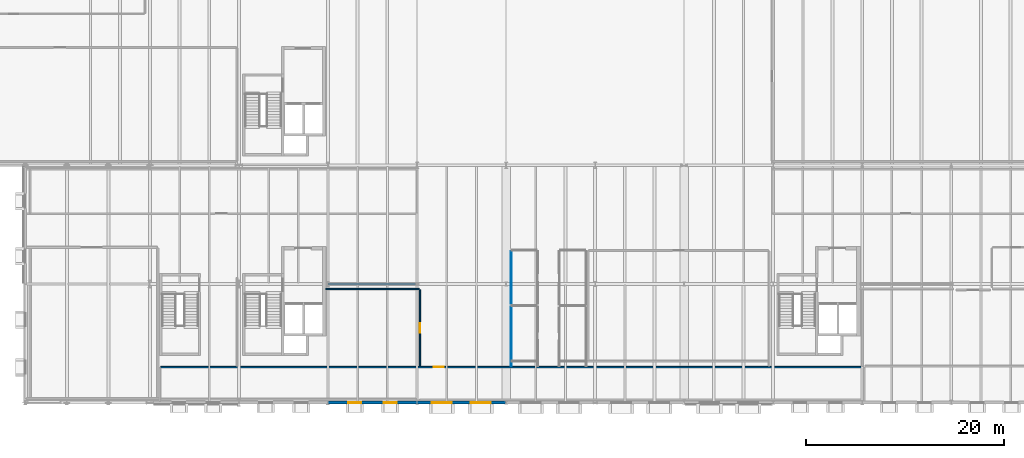
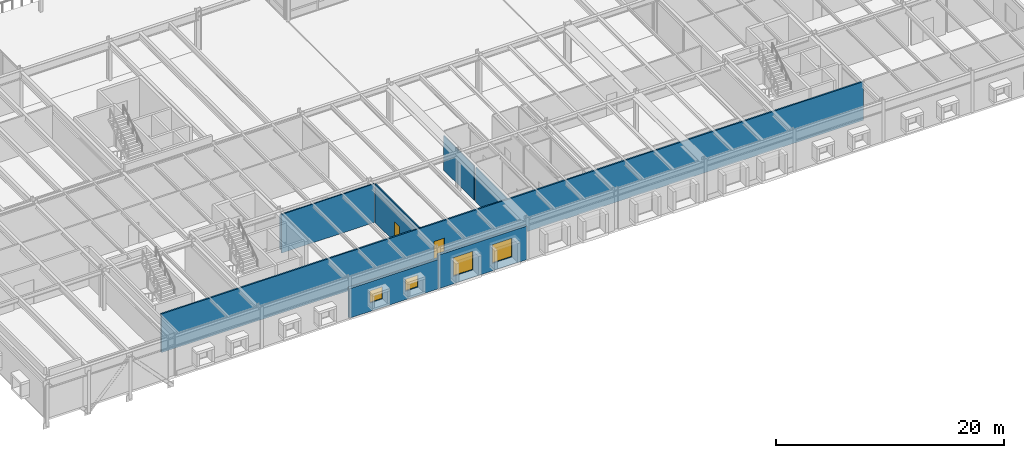
# One storey, part 103 of 115: 8 walls, 4 windows, 2 doors, 6 openings.
"""IFC4 building model written with IfcOpenShell, lengths in metres."""

import ifcopenshell
import ifcopenshell.guid

model = None  # the IFC model being written
_history = None  # IfcOwnerHistory: only IFC2X3 demands one
_inside = {}  # id of a spatial element -> (the spatial element, [elements in it])
_under = {}  # id of a project, library or spatial element -> (it, [spatial elements below it])
_declared = {}  # id of a project -> (the project, [libraries it declares])
_typed = {}  # id of a type object -> (the type object, [elements of that type])
_made_of = {}  # id of a material, layer set ... -> (it, [elements and type objects made of it])


def new_model(schema):
    """Start an empty IFC model of exactly this schema.

    Asked for "IFC4X3", IfcOpenShell would pick the latest addendum, in which some entities
    have other attributes; the version numbers below select the first issue.
    IFC2X3 requires an IfcOwnerHistory on every rooted entity: one is made here for all.
    """
    global model, _history
    if schema == "IFC4X3":
        model = ifcopenshell.file(schema_version=(4, 3, 0, 0))
    else:
        model = ifcopenshell.file(schema=schema)
    _inside.clear()
    _under.clear()
    _declared.clear()
    _typed.clear()
    _made_of.clear()
    _history = None
    if model.schema == "IFC2X3":
        org = make("IfcOrganization", Name="unknown")
        user = make(
            "IfcPersonAndOrganization",
            ThePerson=make("IfcPerson", FamilyName="unknown"),
            TheOrganization=org,
        )
        app = make(
            "IfcApplication",
            ApplicationDeveloper=org,
            Version="unknown",
            ApplicationFullName="unknown",
            ApplicationIdentifier="unknown",
        )
        _history = make(
            "IfcOwnerHistory",
            OwningUser=user,
            OwningApplication=app,
            ChangeAction="ADDED",
            CreationDate=0,
        )
    return model


def make(cls, **values):
    """One entity of the class cls with the attributes given. An attribute that is None is left unset."""
    return model.create_entity(
        cls, **{name: value for name, value in values.items() if value is not None}
    )


def rooted(cls, **values):
    """An entity with a GlobalId (a new one), such as an element, a storey or a relation."""
    return make(cls, GlobalId=ifcopenshell.guid.new(), OwnerHistory=_history, **values)


def si_unit(unit_type, name, prefix=None):
    """IfcSIUnit, for example si_unit("LENGTHUNIT", "METRE", prefix="MILLI")."""
    return make("IfcSIUnit", UnitType=unit_type, Prefix=prefix, Name=name)


def assignment(units):
    """IfcUnitAssignment: the units of a project."""
    return None if units is None else make("IfcUnitAssignment", Units=units)


def point(xyz):
    """IfcCartesianPoint."""
    return None if xyz is None else make("IfcCartesianPoint", Coordinates=xyz)


def direction(xyz):
    """IfcDirection."""
    return None if xyz is None else make("IfcDirection", DirectionRatios=xyz)


def frame(location, z_axis=None, x_axis=None):
    """IfcAxis2Placement3D, a coordinate frame: its origin and axes. An axis left out is left unset."""
    return make(
        "IfcAxis2Placement3D",
        Location=point(location),
        Axis=direction(z_axis),
        RefDirection=direction(x_axis),
    )


def frame_2d(location, x_axis=None):
    """IfcAxis2Placement2D, a coordinate frame in the plane: its origin and x axis."""
    return make(
        "IfcAxis2Placement2D", Location=point(location), RefDirection=direction(x_axis)
    )


def origin():
    """The frame at (0, 0, 0) with its axes left unset."""
    return frame((0.0, 0.0, 0.0))


def place(relative_to, where):
    """IfcLocalPlacement: puts the frame where relative to a parent placement (None: the world)."""
    return make(
        "IfcLocalPlacement", PlacementRelTo=relative_to, RelativePlacement=where
    )


def context(
    kind, dimensions, precision=None, world=None, true_north=None, identifier=None
):
    """IfcGeometricRepresentationContext, for example the 3D "Model" context."""
    return make(
        "IfcGeometricRepresentationContext",
        ContextIdentifier=identifier,
        ContextType=kind,
        CoordinateSpaceDimension=dimensions,
        Precision=precision,
        WorldCoordinateSystem=world,
        TrueNorth=true_north,
    )


def subcontext(parent, identifier, kind, view, scale=None):
    """IfcGeometricRepresentationSubContext, for example "Body" below "Model"."""
    return make(
        "IfcGeometricRepresentationSubContext",
        ContextIdentifier=identifier,
        ContextType=kind,
        ParentContext=parent,
        TargetScale=scale,
        TargetView=view,
    )


def project(units=None, contexts=None):
    """IfcProject with its units and contexts."""
    return rooted(
        "IfcProject",
        Name="project",
        RepresentationContexts=contexts,
        UnitsInContext=assignment(units),
    )


def spatial(cls, under=None, at=None, **own):
    """A site, building, storey or space (cls), placed at a placement, below another one or the project."""
    s = rooted(cls, ObjectPlacement=at, **own)
    if under is not None:
        _under.setdefault(under.id(), (under, []))[1].append(s)
    return s


def profile(cls, at=None, kind="AREA", **sizes):
    """A parametric profile (cls). Its sizes go by their IFC names, for example OverallWidth=200.0."""
    return make(cls, ProfileType=kind, Position=at, **sizes)


def rectangle(**sizes):
    """IfcRectangleProfileDef."""
    return profile("IfcRectangleProfileDef", **sizes)


def extrude(swept, where, along, depth):
    """IfcExtrudedAreaSolid: the profile swept, set in the frame where, extruded along a direction by depth."""
    return make(
        "IfcExtrudedAreaSolid",
        SweptArea=swept,
        Position=where,
        ExtrudedDirection=direction(along),
        Depth=depth,
    )


def shape(context_of_items, identifier, shape_type, items):
    """IfcShapeRepresentation: the items that make up one representation, for example the "Body"."""
    return make(
        "IfcShapeRepresentation",
        ContextOfItems=context_of_items,
        RepresentationIdentifier=identifier,
        RepresentationType=shape_type,
        Items=items,
    )


def material(Name=None, Category=None):
    """IfcMaterial."""
    return make("IfcMaterial", Name=Name, Category=Category)


def layer(
    of_material, thickness, ventilated=None, Name=None, Category=None, Priority=None
):
    """IfcMaterialLayer: one layer of a wall or slab, of a material (None: an air gap)."""
    return make(
        "IfcMaterialLayer",
        Material=of_material,
        LayerThickness=thickness,
        IsVentilated=ventilated,
        Name=Name,
        Category=Category,
        Priority=Priority,
    )


def layer_set(layers, Name=None):
    """IfcMaterialLayerSet."""
    return make("IfcMaterialLayerSet", MaterialLayers=layers, LayerSetName=Name)


def made_of(thing, what):
    """Note that an element or type object is made of a material, layer set ...; save() writes the relation."""
    if what is not None:
        _made_of.setdefault(what.id(), (what, []))[1].append(thing)
    return thing


def type_object(cls, material=None, **own):
    """A type object (cls), such as IfcWallType, which elements share."""
    return made_of(rooted(cls, **own), material)


def element(
    cls,
    number,
    at=None,
    inside=None,
    cuts=None,
    type_object=None,
    material=None,
    context=None,
    identifier="Body",
    shape_type=None,
    held_by="IfcProductDefinitionShape",
    body=None,
    shapes=None,
    **own,
):
    """One element of the class cls, such as IfcWall. Its Tag is "e" and its number.

    at: its placement. inside: the storey or other place that contains it. cuts: it is an
    opening in that element (IfcRelVoidsElement). A single representation is given by context,
    identifier, shape_type and body (its items); several are given by shapes. held_by: the class
    of the entity that holds the representations. save() writes the other relations.
    """
    e = rooted(cls, Tag="e%d" % number, ObjectPlacement=at, **own)
    if body is not None:
        shapes = [shape(context, identifier, shape_type, body)]
    if shapes is not None:
        e.Representation = make(held_by, Representations=shapes)
    if inside is not None:
        _inside.setdefault(inside.id(), (inside, []))[1].append(e)
    if cuts is not None:
        rooted(
            "IfcRelVoidsElement", RelatingBuildingElement=cuts, RelatedOpeningElement=e
        )
    if type_object is not None:
        _typed.setdefault(type_object.id(), (type_object, []))[1].append(e)
    return made_of(e, material)


def fill(opening, filler):
    """IfcRelFillsElement: the door or window that sits in an opening."""
    return rooted(
        "IfcRelFillsElement",
        RelatingOpeningElement=opening,
        RelatedBuildingElement=filler,
    )


def aggregate(whole, parts):
    """IfcRelAggregates: a whole, such as a stair, and the parts it consists of."""
    return rooted("IfcRelAggregates", RelatingObject=whole, RelatedObjects=parts)


def save(model, path):
    """Write the relations noted so far, then the file.

    IfcRelAggregates (storeys below a building ...), IfcRelContainedInSpatialStructure (elements
    in a storey), IfcRelDefinesByType, IfcRelAssociatesMaterial and IfcRelDeclares: one each for
    every whole, place, type object, material and project.
    """
    for whole, parts in _under.values():
        aggregate(whole, parts)
    for where, things in _inside.values():
        rooted(
            "IfcRelContainedInSpatialStructure",
            RelatedElements=things,
            RelatingStructure=where,
        )
    for kind, things in _typed.values():
        rooted("IfcRelDefinesByType", RelatedObjects=things, RelatingType=kind)
    for what, things in _made_of.values():
        rooted("IfcRelAssociatesMaterial", RelatedObjects=things, RelatingMaterial=what)
    for by, libraries in _declared.values():
        rooted("IfcRelDeclares", RelatingContext=by, RelatedDefinitions=libraries)
    model.write(path)


model = new_model("IFC4")

# Units and contexts
model_context = context("Model", 3, precision=1e-05, world=origin(), true_north=direction((0.0, 1.0)))
body_context = subcontext(model_context, "Body", "Model", "MODEL_VIEW")
ifc_project = project(units=[si_unit("LENGTHUNIT", "METRE"), si_unit("AREAUNIT", "SQUARE_METRE"), si_unit("VOLUMEUNIT", "CUBIC_METRE"), si_unit("PLANEANGLEUNIT", "RADIAN"), si_unit("MASSUNIT", "GRAM", prefix="KILO")], contexts=[model_context])

# Site, building, storey
site_placement = place(None, origin())
site = spatial("IfcSite", under=ifc_project, at=site_placement, CompositionType="ELEMENT")
building_placement = place(site_placement, origin())
building = spatial("IfcBuilding", under=site, at=building_placement, Name="Montelvaro Courts of Justice", CompositionType="ELEMENT")
storey_placement = place(building_placement, frame((0.0, 0.0, 9.89990234375)))
storey = spatial("IfcBuildingStorey", under=building, at=storey_placement, Name="L02", CompositionType="ELEMENT", Elevation=9.89990234375)

# Wall, opening, door
ifc_material_1 = material(Name="Gypsum board on metal stud")
ifc_layer_1 = layer(ifc_material_1, 0.14990234375)
ifc_layer_set_1 = layer_set([ifc_layer_1], Name="Gypsum board on metal stud")
wall_type_1 = type_object("IfcWallType", Name="ChambersPartition_150", PredefinedType="PARTITIONING", material=ifc_layer_set_1)
wall_1_placement = place(storey_placement, frame((46.080078125, 3.60009765625, 0.0), z_axis=(0.0, 0.0, 1.0), x_axis=(1.0, 0.0, 0.0)))
wall_1 = element("IfcWall", 1, at=wall_1_placement, inside=storey, type_object=wall_type_1, Name="Interior Partition IW-04 (L02)", PredefinedType="PARTITIONING", context=body_context, shape_type="SweptSolid", body=[
    extrude(rectangle(XDim=71.0400390625, YDim=0.14990234375, at=frame_2d((35.52001953125, 0.0))), origin(), (0.0, 0.0, 1.0), 4.14013671875),
])
opening_1_placement = place(wall_1_placement, frame((27.594970703125, 0.0, 0.0)))
opening_1 = element("IfcOpeningElement", 2, at=opening_1_placement, cuts=wall_1, Name="Opening D-L02-083", PredefinedType="OPENING", context=body_context, shape_type="SweptSolid", body=[
    extrude(rectangle(XDim=1.050048828125, YDim=2.25, at=frame_2d((0.52490234375, 1.125))), frame((0.0, 0.08984375, 0.0), z_axis=(0.0, -1.0, 0.0), x_axis=(1.0, 0.0, 0.0)), (0.0, 0.0, 1.0), 0.1796875),
])
ifc_material_2 = material(Name="Acoustic oak timber veneer", Category="wood")
door_type_1 = type_object("IfcDoorType", Name="ChamberDoor_105x225", OperationType="NOTDEFINED", PredefinedType="DOOR", material=ifc_material_2)
door_1_placement = place(opening_1_placement, frame((1.050048828125, 0.0, 0.0), z_axis=(0.0, 0.0, 1.0), x_axis=(-1.0, 0.0, 0.0)))
door_1 = element("IfcDoor", 3, at=door_1_placement, inside=storey, type_object=door_type_1, Name="Interior Door D-L02-083 (South Magistrates' Gallery L02)", OperationType="SINGLE_SWING_RIGHT", OverallHeight=2.25, OverallWidth=1.050048828125, PredefinedType="DOOR", context=body_context, shape_type="SweptSolid", body=[
    extrude(rectangle(XDim=1.050048828125, YDim=2.25, at=frame_2d((0.52490234375, 1.125))), frame((0.0, 0.02490234375, 0.0), z_axis=(0.0, -1.0, 0.0), x_axis=(1.0, 0.0, 0.0)), (0.0, 0.0, 1.0), 0.050048828125),
])
fill(opening_1, door_1)

# Wall, openings, windows
ifc_material_3 = material(Name="White mineral precast concrete C45/55", Category="concrete")
ifc_layer_2 = layer(ifc_material_3, 0.300048828125)
ifc_layer_set_2 = layer_set([ifc_layer_2], Name="White mineral precast concrete C45/55")
wall_type_2 = type_object("IfcWallType", Name="ExtWall_GFRC_300", PredefinedType="SOLIDWALL", material=ifc_layer_set_2)
wall_2_placement = place(storey_placement, frame((63.008056640625, 0.0, 0.0), z_axis=(0.0, 0.0, 1.0), x_axis=(1.0, 0.0, 0.0)))
wall_2 = element("IfcWall", 4, at=wall_2_placement, inside=storey, type_object=wall_type_2, Name="Exterior Facade Wall EW-02 (L02)", PredefinedType="SOLIDWALL", context=body_context, shape_type="SweptSolid", body=[
    extrude(rectangle(XDim=8.98388671875, YDim=0.300048828125, at=frame_2d((4.491943359375, 0.0))), origin(), (0.0, 0.0, 1.0), 3.147216796875),
])
opening_2_placement = place(wall_2_placement, frame((2.044921875, 0.0, 0.89990234375)))
opening_2 = element("IfcOpeningElement", 5, at=opening_2_placement, cuts=wall_2, Name="Opening WE-18", PredefinedType="OPENING", context=body_context, shape_type="SweptSolid", body=[
    extrude(rectangle(XDim=1.300048828125, YDim=1.300048828125, at=frame_2d((0.64990234375, 0.64990234375))), frame((0.0, 0.1650390625, 0.0), z_axis=(0.0, -1.0, 0.0), x_axis=(1.0, 0.0, 0.0)), (0.0, 0.0, 1.0), 0.329833984375),
])
opening_3_placement = place(wall_2_placement, frame((5.638916015625, 0.0, 0.89990234375)))
opening_3 = element("IfcOpeningElement", 6, at=opening_3_placement, cuts=wall_2, Name="Opening WE-18", PredefinedType="OPENING", context=body_context, shape_type="SweptSolid", body=[
    extrude(rectangle(XDim=1.300048828125, YDim=1.300048828125, at=frame_2d((0.64990234375, 0.64990234375))), frame((0.0, 0.1650390625, 0.0), z_axis=(0.0, -1.0, 0.0), x_axis=(1.0, 0.0, 0.0)), (0.0, 0.0, 1.0), 0.329833984375),
])
ifc_material_4 = material(Name="Low-E solar control double glazing", Category="glass")
window_type_1 = type_object("IfcWindowType", Name="Win_Sq_130x130", PartitioningType="SINGLE_PANEL", PredefinedType="WINDOW", material=ifc_material_4)
window_1_placement = place(opening_2_placement, origin())
window_1 = element("IfcWindow", 7, at=window_1_placement, inside=storey, type_object=window_type_1, Name="Window W-L02-113", OverallHeight=1.300048828125, OverallWidth=1.300048828125, PartitioningType="SINGLE_PANEL", PredefinedType="WINDOW", context=body_context, shape_type="SweptSolid", body=[
    extrude(rectangle(XDim=1.300048828125, YDim=1.300048828125, at=frame_2d((0.64990234375, 0.64990234375))), frame((0.0, 0.030029296875, 0.0), z_axis=(0.0, -1.0, 0.0), x_axis=(1.0, 0.0, 0.0)), (0.0, 0.0, 1.0), 0.06005859375),
])
fill(opening_2, window_1)
window_2_placement = place(opening_3_placement, origin())
window_2 = element("IfcWindow", 8, at=window_2_placement, inside=storey, type_object=window_type_1, Name="Window W-L02-114", OverallHeight=1.300048828125, OverallWidth=1.300048828125, PartitioningType="SINGLE_PANEL", PredefinedType="WINDOW", context=body_context, shape_type="SweptSolid", body=[
    extrude(rectangle(XDim=1.300048828125, YDim=1.300048828125, at=frame_2d((0.64990234375, 0.64990234375))), frame((0.0, 0.030029296875, 0.0), z_axis=(0.0, -1.0, 0.0), x_axis=(1.0, 0.0, 0.0)), (0.0, 0.0, 1.0), 0.06005859375),
])
fill(opening_3, window_2)

wall_3_placement = place(storey_placement, frame((72.008056640625, 0.0, 0.0), z_axis=(0.0, 0.0, 1.0), x_axis=(1.0, 0.0, 0.0)))
wall_3 = element("IfcWall", 9, at=wall_3_placement, inside=storey, type_object=wall_type_2, Name="Exterior Facade Wall EW-02 (L02)", PredefinedType="SOLIDWALL", context=body_context, shape_type="SweptSolid", body=[
    extrude(rectangle(XDim=8.933837890625, YDim=0.300048828125, at=frame_2d((4.466796875, 0.0))), origin(), (0.0, 0.0, 1.0), 3.585205078125),
])
opening_4_placement = place(wall_3_placement, frame((1.501953125, 0.0, 0.800048828125)))
opening_4 = element("IfcOpeningElement", 10, at=opening_4_placement, cuts=wall_3, Name="Opening WE-11", PredefinedType="OPENING", context=body_context, shape_type="SweptSolid", body=[
    extrude(rectangle(XDim=2.0, YDim=2.0, at=frame_2d((1.0, 1.0))), frame((0.0, 0.1650390625, 0.0), z_axis=(0.0, -1.0, 0.0), x_axis=(1.0, 0.0, 0.0)), (0.0, 0.0, 1.0), 0.329833984375),
])
opening_5_placement = place(wall_3_placement, frame((5.431884765625, 0.0, 0.800048828125)))
opening_5 = element("IfcOpeningElement", 11, at=opening_5_placement, cuts=wall_3, Name="Opening WE-11", PredefinedType="OPENING", context=body_context, shape_type="SweptSolid", body=[
    extrude(rectangle(XDim=2.0, YDim=2.0, at=frame_2d((1.0, 1.0))), frame((0.0, 0.1650390625, 0.0), z_axis=(0.0, -1.0, 0.0), x_axis=(1.0, 0.0, 0.0)), (0.0, 0.0, 1.0), 0.329833984375),
])
window_type_2 = type_object("IfcWindowType", Name="Win_Sq_200x200", PartitioningType="SINGLE_PANEL", PredefinedType="WINDOW", material=ifc_material_4)
window_3_placement = place(opening_4_placement, origin())
window_3 = element("IfcWindow", 12, at=window_3_placement, inside=storey, type_object=window_type_2, Name="Window W-L02-115", OverallHeight=2.0, OverallWidth=2.0, PartitioningType="SINGLE_PANEL", PredefinedType="WINDOW", context=body_context, shape_type="SweptSolid", body=[
    extrude(rectangle(XDim=2.0, YDim=2.0, at=frame_2d((1.0, 1.0))), frame((0.0, 0.030029296875, 0.0), z_axis=(0.0, -1.0, 0.0), x_axis=(1.0, 0.0, 0.0)), (0.0, 0.0, 1.0), 0.06005859375),
])
fill(opening_4, window_3)
window_4_placement = place(opening_5_placement, origin())
window_4 = element("IfcWindow", 13, at=window_4_placement, inside=storey, type_object=window_type_2, Name="Window W-L02-116", OverallHeight=2.0, OverallWidth=2.0, PartitioningType="SINGLE_PANEL", PredefinedType="WINDOW", context=body_context, shape_type="SweptSolid", body=[
    extrude(rectangle(XDim=2.0, YDim=2.0, at=frame_2d((1.0, 1.0))), frame((0.0, 0.030029296875, 0.0), z_axis=(0.0, -1.0, 0.0), x_axis=(1.0, 0.0, 0.0)), (0.0, 0.0, 1.0), 0.06005859375),
])
fill(opening_5, window_4)

# Wall
ifc_layer_3 = layer(ifc_material_1, 0.1201171875)
ifc_layer_set_3 = layer_set([ifc_layer_3], Name="Gypsum board on metal stud")
wall_type_3 = type_object("IfcWallType", Name="OfficePartition_120", PredefinedType="PARTITIONING", material=ifc_layer_set_3)
wall_4_placement = place(storey_placement, frame((62.794921875, 11.5, 0.0), z_axis=(0.0, 0.0, 1.0), x_axis=(1.0, 0.0, 0.0)))
element("IfcWall", 14, at=wall_4_placement, inside=storey, type_object=wall_type_3, Name="Interior Partition IW-05 (L02)", PredefinedType="PARTITIONING", context=body_context, shape_type="SweptSolid", body=[
    extrude(rectangle(XDim=9.425048828125, YDim=0.1201171875, at=frame_2d((4.71240234375, 0.0))), origin(), (0.0, 0.0, 1.0), 4.14013671875),
])

# Wall, opening, door
wall_5_placement = place(storey_placement, frame((72.300048828125, 11.419921875, 0.0), z_axis=(0.0, 0.0, 1.0), x_axis=(0.0, -1.0, 0.0)))
wall_5 = element("IfcWall", 15, at=wall_5_placement, inside=storey, type_object=wall_type_3, Name="Interior Partition IW-05 (L02)", PredefinedType="PARTITIONING", context=body_context, shape_type="SweptSolid", body=[
    extrude(rectangle(XDim=7.75, YDim=0.1201171875, at=frame_2d((3.875, 0.0))), origin(), (0.0, 0.0, 1.0), 4.14013671875),
])
opening_6_placement = place(wall_5_placement, frame((3.39990234375, 0.0, 0.0)))
opening_6 = element("IfcOpeningElement", 16, at=opening_6_placement, cuts=wall_5, Name="Opening D-L02-097", PredefinedType="OPENING", context=body_context, shape_type="SweptSolid", body=[
    extrude(rectangle(XDim=0.949951171875, YDim=2.14990234375, at=frame_2d((0.47509765625, 1.074951171875))), frame((0.0, 0.074951171875, 0.0), z_axis=(0.0, -1.0, 0.0), x_axis=(1.0, 0.0, 0.0)), (0.0, 0.0, 1.0), 0.14990234375),
])
door_type_2 = type_object("IfcDoorType", Name="OfficeDoor_095x215", OperationType="NOTDEFINED", PredefinedType="DOOR", material=ifc_material_2)
door_2_placement = place(opening_6_placement, frame((0.949951171875, 0.0, 0.0), z_axis=(0.0, 0.0, 1.0), x_axis=(-1.0, 0.0, 0.0)))
door_2 = element("IfcDoor", 17, at=door_2_placement, inside=storey, type_object=door_type_2, Name="Interior Door D-L02-097 (Civil Magistrates' Chambers West L02)", OperationType="SINGLE_SWING_RIGHT", OverallHeight=2.14990234375, OverallWidth=0.949951171875, PredefinedType="DOOR", context=body_context, shape_type="SweptSolid", body=[
    extrude(rectangle(XDim=0.949951171875, YDim=2.14990234375, at=frame_2d((0.47509765625, 1.074951171875))), frame((0.0, 0.02490234375, 0.0), z_axis=(0.0, -1.0, 0.0), x_axis=(1.0, 0.0, 0.0)), (0.0, 0.0, 1.0), 0.050048828125),
])
fill(opening_6, door_2)

# Walls
ifc_material_5 = material(Name="Concrete C35/45", Category="concrete")
ifc_layer_4 = layer(ifc_material_5, 0.239990234375)
ifc_layer_set_4 = layer_set([ifc_layer_4], Name="Concrete C35/45")
wall_type_4 = type_object("IfcWallType", Name="ShaftWall_240", PredefinedType="SHEAR", material=ifc_layer_set_4)
wall_6_placement = place(storey_placement, frame((63.008056640625, 12.0, 0.0), z_axis=(0.0, 0.0, 1.0), x_axis=(1.0, 0.0, 0.0)))
element("IfcWall", 18, at=wall_6_placement, inside=storey, type_object=wall_type_4, Name="Enclosed Braced Frame Structural Wall CBF1 (L02)", PredefinedType="SHEAR", context=body_context, shape_type="SweptSolid", body=[
    extrude(rectangle(XDim=8.81396484375, YDim=0.239990234375, at=frame_2d((4.406982421875, 0.0))), origin(), (0.0, 0.0, 1.0), 3.675048828125),
])
ifc_material_6 = material(Name="Moisture-resistant cement board")
ifc_layer_5 = layer(ifc_material_6, 0.10009765625)
ifc_layer_set_5 = layer_set([ifc_layer_5], Name="Moisture-resistant cement board")
wall_type_5 = type_object("IfcWallType", Name="WetWall_100", PredefinedType="PARTITIONING", material=ifc_layer_set_5)
wall_7_placement = place(storey_placement, frame((81.5, 3.669921875, 0.0), z_axis=(0.0, 0.0, 1.0), x_axis=(0.0, 1.0, 0.0)))
element("IfcWall", 19, at=wall_7_placement, inside=storey, type_object=wall_type_5, Name="Interior Partition IW-06 (L02)", PredefinedType="PARTITIONING", context=body_context, shape_type="SweptSolid", body=[
    extrude(rectangle(XDim=6.050048828125, YDim=0.10009765625, at=frame_2d((3.02490234375, 0.0))), origin(), (0.0, 0.0, 1.0), 3.695068359375),
])
wall_8_placement = place(storey_placement, frame((81.5, 9.97998046875, 0.0), z_axis=(0.0, 0.0, 1.0), x_axis=(0.0, 1.0, 0.0)))
element("IfcWall", 20, at=wall_8_placement, inside=storey, type_object=wall_type_5, Name="Interior Partition IW-06 (L02)", PredefinedType="PARTITIONING", context=body_context, shape_type="SweptSolid", body=[
    extrude(rectangle(XDim=5.340087890625, YDim=0.10009765625, at=frame_2d((2.669921875, 0.0))), origin(), (0.0, 0.0, 1.0), 3.695068359375),
])

save(model, "model.ifc")
